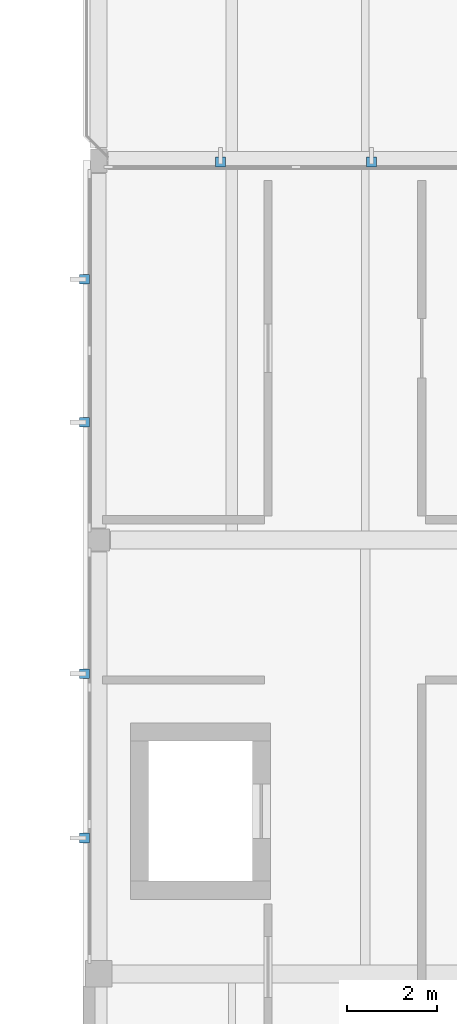
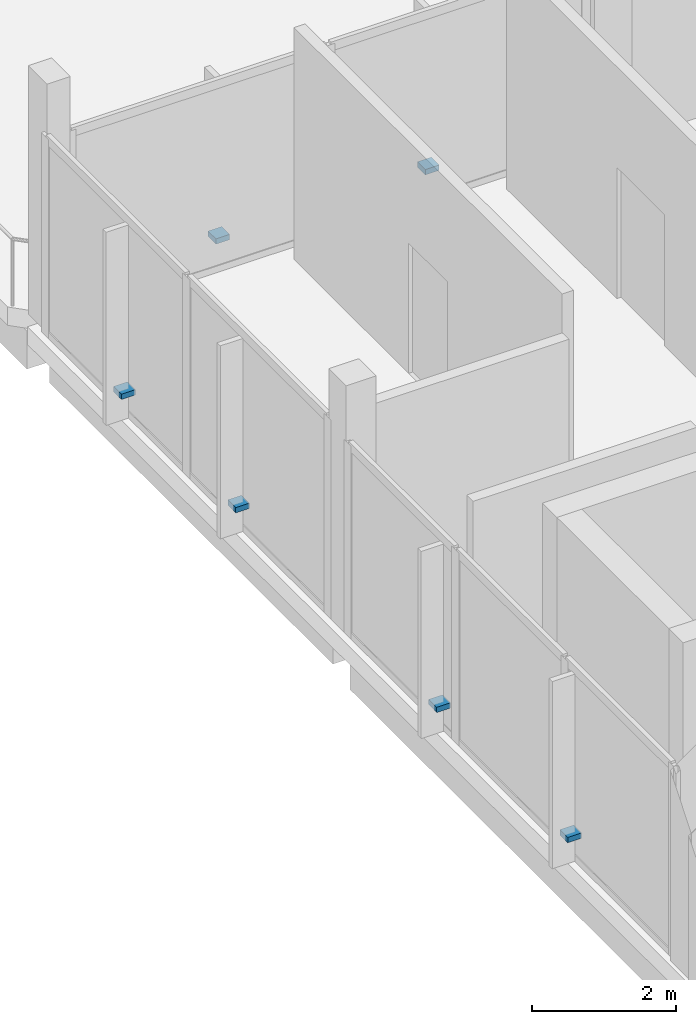
# One storey, part 32 of 41: 6 discrete accessories.
"""IFC4 building model written with IfcOpenShell, lengths in metres."""

from ifc_helpers import new_model, si_unit, direction, frame, origin, origin_2d, place, context, subcontext, project, spatial, rectangle, extrude, material, layer, layer_set, type_object, element, save


model = new_model("IFC4")

# Units and contexts
model_context = context("Model", 3, precision=1e-05, world=origin(), true_north=direction((0.0, 1.0)))
body_context = subcontext(model_context, "Body", "Model", "MODEL_VIEW")
ifc_project = project(units=[si_unit("LENGTHUNIT", "METRE"), si_unit("AREAUNIT", "SQUARE_METRE"), si_unit("VOLUMEUNIT", "CUBIC_METRE"), si_unit("PLANEANGLEUNIT", "RADIAN"), si_unit("MASSUNIT", "GRAM", prefix="KILO")], contexts=[model_context])

# Site, building, storey
site_placement = place(None, origin())
site = spatial("IfcSite", under=ifc_project, at=site_placement, CompositionType="ELEMENT")
building_placement = place(site_placement, origin())
building = spatial("IfcBuilding", under=site, at=building_placement, Name="Birchvale Park Specialist Clinic", CompositionType="ELEMENT")
storey_placement = place(building_placement, frame((0.0, 0.0, 9.60009765625)))
storey = spatial("IfcBuildingStorey", under=building, at=storey_placement, Name="L02", CompositionType="ELEMENT", Elevation=9.60009765625)

# Discrete accessories
ifc_material = material(Name="Anodised aluminium facade bracket", Category="aluminium")
ifc_layer = layer(ifc_material, 0.080078125)
ifc_layer_set = layer_set([ifc_layer], Name="Anodised aluminium facade bracket")
discrete_accessory_type = type_object("IfcDiscreteAccessoryType", Name="ACC-BRK-1", PredefinedType="BRACKET", material=ifc_layer_set)
for number, where, z_axis, x_axis, name in (
    (1, (134.392578125, 91.1650390625, 0.455078125), (0.0, 0.0, 1.0), (0.0, 1.0, 0.0), "V6 L02 solar fin bracket 40"),
    (2, (131.04248046875, 91.1650390625, 0.455078125), (0.0, 0.0, 1.0), (0.0, 1.0, 0.0), "V6 L02 solar fin bracket 41"),
    (3, (128.034912109375, 88.572021484375, 0.455078125), (0.0, 0.0, 1.0), (1.0, 0.0, 0.0), "V6 L02 solar fin bracket 42"),
    (4, (128.034912109375, 85.407958984375, 0.455078125), (0.0, 0.0, 1.0), (1.0, 0.0, 0.0), "V6 L02 solar fin bracket 43"),
    (5, (128.034912109375, 79.841064453125, 0.455078125), (0.0, 0.0, 1.0), (1.0, 0.0, 0.0), "V6 L02 solar fin bracket 44"),
    (6, (128.034912109375, 76.208984375, 0.455078125), (0.0, 0.0, 1.0), (1.0, 0.0, 0.0), "V6 L02 solar fin bracket 45"),
):
    element("IfcDiscreteAccessory", number, at=place(storey_placement, frame(where, z_axis=z_axis, x_axis=x_axis)), inside=storey, type_object=discrete_accessory_type, Name=name, PredefinedType="BRACKET", context=body_context, shape_type="SweptSolid", body=[
        extrude(rectangle(XDim=0.219970703125, YDim=0.219970703125, at=origin_2d()), origin(), (0.0, 0.0, 1.0), 0.090087890625),
    ])

save(model, "model.ifc")
